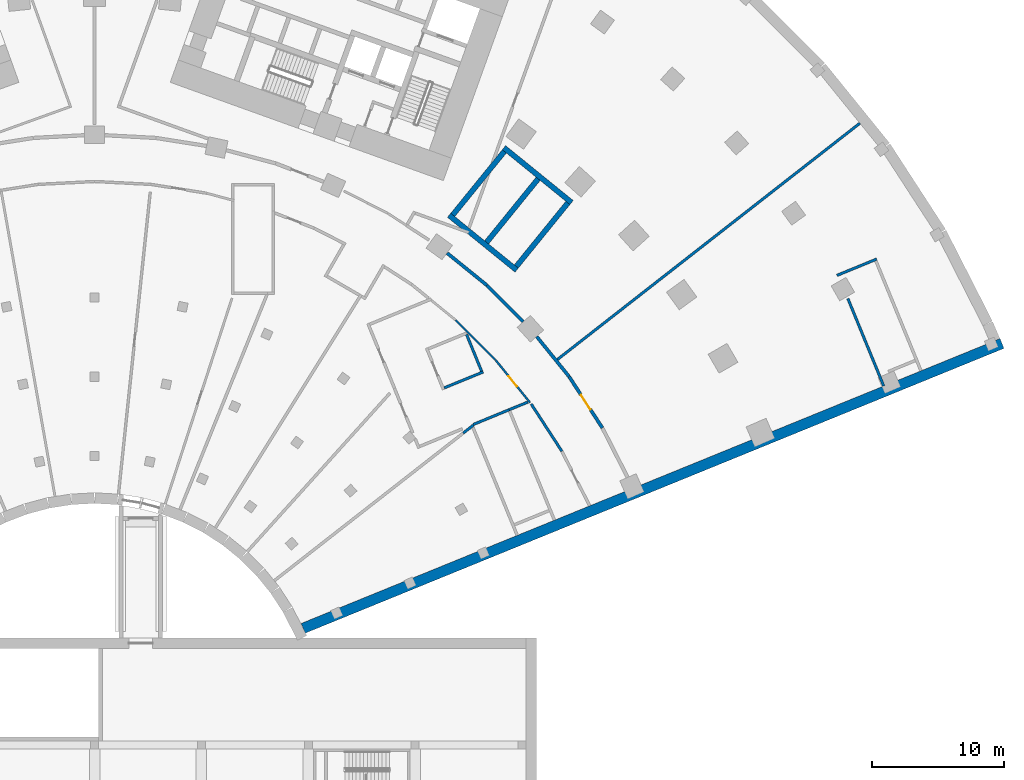
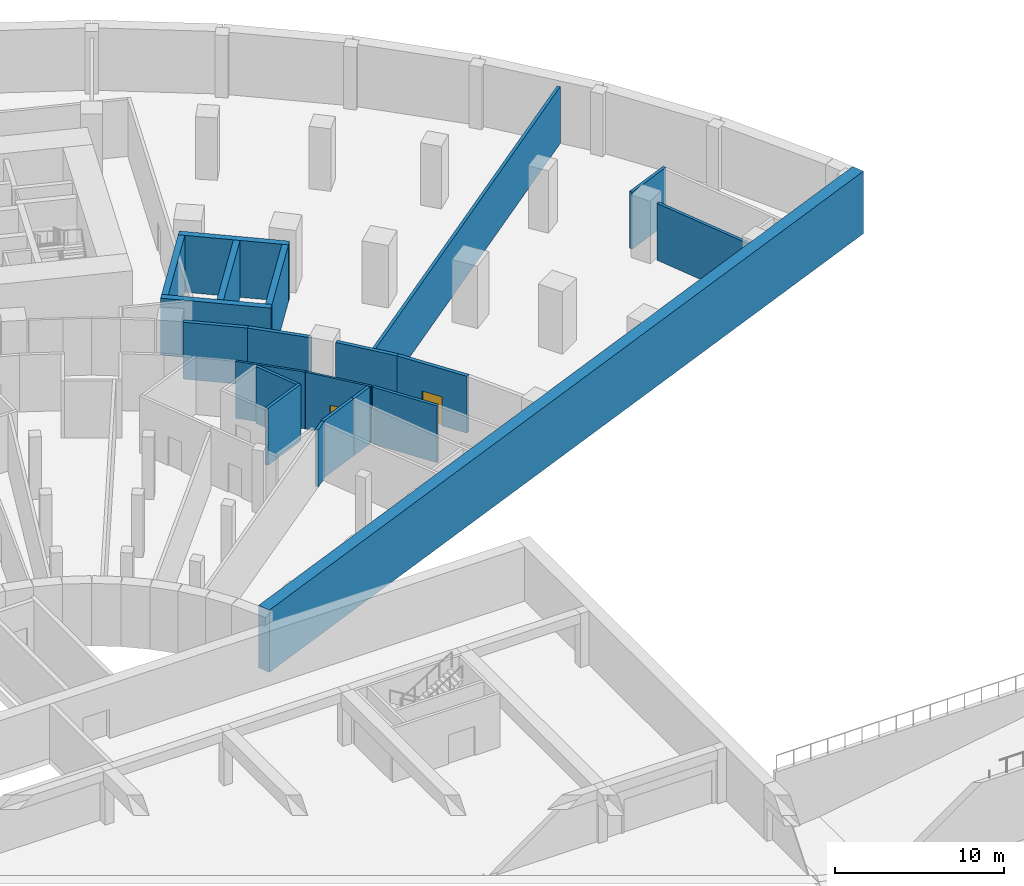
# One storey, part 11 of 23: 21 walls, 2 doors, 2 openings.
"""IFC4 building model written with IfcOpenShell, lengths in metres."""

from ifc_helpers import new_model, si_unit, direction, frame, frame_2d, origin, place, context, subcontext, project, spatial, rectangle, extrude, material, layer, layer_set, type_object, element, fill, save


model = new_model("IFC4")

# Units and contexts
model_context = context("Model", 3, precision=1e-05, world=origin(), true_north=direction((0.0, 1.0)))
body_context = subcontext(model_context, "Body", "Model", "MODEL_VIEW")
ifc_project = project(units=[si_unit("LENGTHUNIT", "METRE"), si_unit("AREAUNIT", "SQUARE_METRE"), si_unit("VOLUMEUNIT", "CUBIC_METRE"), si_unit("PLANEANGLEUNIT", "RADIAN"), si_unit("MASSUNIT", "GRAM", prefix="KILO")], contexts=[model_context])

# Site, building, storey
site_placement = place(None, origin())
site = spatial("IfcSite", under=ifc_project, at=site_placement, CompositionType="ELEMENT")
building_placement = place(site_placement, origin())
building = spatial("IfcBuilding", under=site, at=building_placement, Name="Stone Belt Terrace Tower", CompositionType="ELEMENT")
storey_placement = place(building_placement, frame((0.0, 0.0, -4.5)))
storey = spatial("IfcBuildingStorey", under=building, at=storey_placement, Name="B1", CompositionType="ELEMENT", Elevation=-4.5)

# Walls
ifc_material_1 = material(Name="Concrete B30", Category="concrete")
ifc_layer_1 = layer(ifc_material_1, 0.800048828125)
ifc_layer_set_1 = layer_set([ifc_layer_1], Name="Basement wall 800 B30")
wall_type_1 = type_object("IfcWallType", Name="Basement wall 800 B30", PredefinedType="SHEAR", material=ifc_layer_set_1)
wall_1_placement = place(storey_placement, frame((15.806396484375, 7.03173828125, 0.0), z_axis=(0.0, 0.0, 1.0), x_axis=(0.926043414777, 0.377417002728, 0.0)))
element("IfcWall", 1, at=wall_1_placement, inside=storey, type_object=wall_type_1, Name="Basement wall B1 23", PredefinedType="SHEAR", context=body_context, shape_type="SweptSolid", body=[
    extrude(rectangle(XDim=57.20166015625, YDim=0.800048828125, at=frame_2d((28.600830078125, 0.0))), origin(), (0.0, 0.0, 1.0), 4.5),
])
ifc_layer_2 = layer(ifc_material_1, 0.25)
ifc_layer_set_2 = layer_set([ifc_layer_2], Name="Compartment wall 250")
wall_type_2 = type_object("IfcWallType", Name="Compartment wall 250", PredefinedType="SOLIDWALL", material=ifc_layer_set_2)
wall_2_placement = place(storey_placement, frame((26.72265625, 35.472412109375, 0.0), z_axis=(0.0, 0.0, 1.0), x_axis=(0.777272744525, -0.629163794746, 0.0)))
element("IfcWall", 2, at=wall_2_placement, inside=storey, type_object=wall_type_2, Name="Compartment wall B1 15", PredefinedType="SOLIDWALL", context=body_context, shape_type="SweptSolid", body=[
    extrude(rectangle(XDim=3.875244140625, YDim=0.25, at=frame_2d((1.9375, 0.0))), origin(), (0.0, 0.0, 1.0), 4.10009765625),
])
wall_3_placement = place(storey_placement, frame((29.74462890625, 33.025390625, 0.0), z_axis=(0.0, 0.0, 1.0), x_axis=(0.707106781187, -0.707106781187, 0.0)))
element("IfcWall", 3, at=wall_3_placement, inside=storey, type_object=wall_type_2, Name="Compartment wall B1 16", PredefinedType="SOLIDWALL", context=body_context, shape_type="SweptSolid", body=[
    extrude(rectangle(XDim=3.8759765625, YDim=0.25, at=frame_2d((1.93798828125, 0.0))), origin(), (0.0, 0.0, 1.0), 4.10009765625),
])
wall_4_placement = place(storey_placement, frame((33.514404296875, 29.1416015625, 0.0), z_axis=(0.0, 0.0, 1.0), x_axis=(0.629104116974, -0.777321046934, 0.0)))
element("IfcWall", 4, at=wall_4_placement, inside=storey, type_object=wall_type_2, Name="Compartment wall B1 17", PredefinedType="SOLIDWALL", context=body_context, shape_type="SweptSolid", body=[
    extrude(rectangle(XDim=3.880859375, YDim=0.25, at=frame_2d((1.9404296875, 0.0))), origin(), (0.0, 0.0, 1.0), 4.10009765625),
])

# Wall, opening, door
wall_5_placement = place(storey_placement, frame((35.963623046875, 26.114501953125, 0.0), z_axis=(0.0, 0.0, 1.0), x_axis=(0.544253220019, -0.838920993002, 0.0)))
wall_5 = element("IfcWall", 5, at=wall_5_placement, inside=storey, type_object=wall_type_2, Name="Compartment wall B1 18", PredefinedType="SOLIDWALL", context=body_context, shape_type="SweptSolid", body=[
    extrude(rectangle(XDim=4.635498046875, YDim=0.25, at=frame_2d((2.31787109375, 0.0))), origin(), (0.0, 0.0, 1.0), 4.10009765625),
])
opening_1_placement = place(wall_5_placement, frame((1.667724609375, 0.0, 0.0)))
opening_1 = element("IfcOpeningElement", 6, at=opening_1_placement, cuts=wall_5, Name="Opening B1-P21", PredefinedType="OPENING", context=body_context, shape_type="SweptSolid", body=[
    extrude(rectangle(XDim=1.300048828125, YDim=2.10009765625, at=frame_2d((0.64990234375, 1.050048828125))), frame((0.0, 0.135009765625, 0.0), z_axis=(0.0, -1.0, 0.0), x_axis=(1.0, 0.0, 0.0)), (0.0, 0.0, 1.0), 0.27001953125),
])
ifc_material_2 = material(Name="Steel framed fire door leaf", Category="steel")
door_type_1 = type_object("IfcDoorType", Name="Fire door 1300 x 2100 EI 60", OperationType="SINGLE_SWING_LEFT", PredefinedType="DOOR", material=ifc_material_2)
door_1_placement = place(opening_1_placement, origin())
door_1 = element("IfcDoor", 7, at=door_1_placement, inside=storey, type_object=door_type_1, Name="Fire door 1300 x 2100 EI 60", OperationType="SINGLE_SWING_LEFT", OverallHeight=2.10009765625, OverallWidth=1.300048828125, PredefinedType="DOOR", context=body_context, shape_type="SweptSolid", body=[
    extrude(rectangle(XDim=1.300048828125, YDim=2.10009765625, at=frame_2d((0.64990234375, 1.050048828125))), frame((0.0, 0.02490234375, 0.0), z_axis=(0.0, -1.0, 0.0), x_axis=(1.0, 0.0, 0.0)), (0.0, 0.0, 1.0), 0.050048828125),
])
fill(opening_1, door_1)

# Walls
ifc_material_3 = material(Name="Blockwork wall, plastered both faces", Category="masonry")
ifc_layer_3 = layer(ifc_material_3, 0.199951171875)
ifc_layer_set_3 = layer_set([ifc_layer_3], Name="Podium demising wall 200")
wall_type_3 = type_object("IfcWallType", Name="Podium demising wall 200", PredefinedType="PARTITIONING", material=ifc_layer_set_3)
wall_6_placement = place(storey_placement, frame((27.93994140625, 21.830078125, 0.0), z_axis=(0.0, 0.0, 1.0), x_axis=(0.78757857942, 0.616214233233, 0.0)))
element("IfcWall", 8, at=wall_6_placement, inside=storey, type_object=wall_type_3, Name="Podium demising wall 200", PredefinedType="PARTITIONING", context=body_context, shape_type="SweptSolid", body=[
    extrude(rectangle(XDim=0.980224609375, YDim=0.199951171875, at=frame_2d((0.490234375, 0.0))), origin(), (0.0, 0.0, 1.0), 4.10009765625),
])
wall_7_placement = place(storey_placement, frame((31.420166015625, 23.60009765625, 0.0), z_axis=(0.0, 0.0, 1.0), x_axis=(0.925906762985, 0.377752122773, 0.0)))
element("IfcWall", 9, at=wall_7_placement, inside=storey, type_object=wall_type_3, Name="Podium demising wall 200", PredefinedType="PARTITIONING", context=body_context, shape_type="SweptSolid", body=[
    extrude(rectangle(XDim=1.532958984375, YDim=0.199951171875, at=frame_2d((0.7666015625, 0.0))), origin(), (0.0, 0.0, 1.0), 4.10009765625),
])
wall_8_placement = place(storey_placement, frame((33.092529296875, 24.0361328125, 0.0), z_axis=(0.0, 0.0, 1.0), x_axis=(0.544379260043, -0.838839210597, 0.0)))
element("IfcWall", 10, at=wall_8_placement, inside=storey, type_object=wall_type_3, Name="Podium demising wall 200", PredefinedType="PARTITIONING", context=body_context, shape_type="SweptSolid", body=[
    extrude(rectangle(XDim=4.27001953125, YDim=0.199951171875, at=frame_2d((2.135009765625, 0.0))), origin(), (0.0, 0.0, 1.0), 4.10009765625),
])
wall_9_placement = place(storey_placement, frame((35.08154296875, 27.407958984375, 0.0), z_axis=(0.0, 0.0, 1.0), x_axis=(0.788035698652, 0.61562954579, 0.0)))
element("IfcWall", 11, at=wall_9_placement, inside=storey, type_object=wall_type_3, Name="Podium demising wall 200", PredefinedType="PARTITIONING", context=body_context, shape_type="SweptSolid", body=[
    extrude(rectangle(XDim=29.087646484375, YDim=0.199951171875, at=frame_2d((14.5439453125, 0.0))), origin(), (0.0, 0.0, 1.0), 4.10009765625),
])
ifc_material_4 = material(Name="Reinforced blockwork wall, plastered both faces", Category="masonry")
ifc_layer_4 = layer(ifc_material_4, 0.199951171875)
ifc_layer_set_4 = layer_set([ifc_layer_4], Name="Podium lift shaft wall 200")
wall_type_4 = type_object("IfcWallType", Name="Podium lift shaft wall 200", PredefinedType="SOLIDWALL", material=ifc_layer_set_4)
wall_10_placement = place(storey_placement, frame((26.502685546875, 25.2578125, 0.0), z_axis=(0.0, 0.0, 1.0), x_axis=(0.92564908085, 0.378383111571, 0.0)))
element("IfcWall", 12, at=wall_10_placement, inside=storey, type_object=wall_type_4, Name="Podium lift shaft wall 200", PredefinedType="SOLIDWALL", context=body_context, shape_type="SweptSolid", body=[
    extrude(rectangle(XDim=3.19775390625, YDim=0.199951171875, at=frame_2d((1.598876953125, 0.0))), origin(), (0.0, 0.0, 1.0), 4.10009765625),
])
wall_11_placement = place(storey_placement, frame((28.19775390625, 29.29736328125, 0.0), z_axis=(0.0, 0.0, 1.0), x_axis=(0.378471104771, -0.925613106461, 0.0)))
element("IfcWall", 13, at=wall_11_placement, inside=storey, type_object=wall_type_4, Name="Podium lift shaft wall 200", PredefinedType="SOLIDWALL", context=body_context, shape_type="SweptSolid", body=[
    extrude(rectangle(XDim=2.99755859375, YDim=0.199951171875, at=frame_2d((1.498779296875, 0.0))), origin(), (0.0, 0.0, 1.0), 4.10009765625),
])
ifc_material_5 = material(Name="Gypsum board on steel stud partition", Category="steel")
ifc_layer_5 = layer(ifc_material_5, 0.14990234375)
ifc_layer_set_5 = layer_set([ifc_layer_5], Name="Podium partition 150")
wall_type_5 = type_object("IfcWallType", Name="Podium partition 150", PredefinedType="PARTITIONING", material=ifc_layer_set_5)
wall_12_placement = place(storey_placement, frame((27.372802734375, 30.38720703125, 0.0), z_axis=(0.0, 0.0, 1.0), x_axis=(0.707106781187, -0.707106781187, 0.0)))
element("IfcWall", 14, at=wall_12_placement, inside=storey, type_object=wall_type_5, Name="Podium partition 150", PredefinedType="PARTITIONING", context=body_context, shape_type="SweptSolid", body=[
    extrude(rectangle(XDim=4.262939453125, YDim=0.14990234375, at=frame_2d((2.13134765625, 0.0))), origin(), (0.0, 0.0, 1.0), 4.10009765625),
])

# Wall, opening, door
wall_13_placement = place(storey_placement, frame((30.392578125, 27.366943359375, 0.0), z_axis=(0.0, 0.0, 1.0), x_axis=(0.629179626547, -0.777259929198, 0.0)))
wall_13 = element("IfcWall", 15, at=wall_13_placement, inside=storey, type_object=wall_type_5, Name="Podium partition 150", PredefinedType="PARTITIONING", context=body_context, shape_type="SweptSolid", body=[
    extrude(rectangle(XDim=4.153076171875, YDim=0.14990234375, at=frame_2d((2.07666015625, 0.0))), origin(), (0.0, 0.0, 1.0), 4.10009765625),
])
opening_2_placement = place(wall_13_placement, frame((1.57666015625, 0.0, 0.0)))
opening_2 = element("IfcOpeningElement", 16, at=opening_2_placement, cuts=wall_13, Name="Opening B1-P25", PredefinedType="OPENING", context=body_context, shape_type="SweptSolid", body=[
    extrude(rectangle(XDim=1.0, YDim=2.10009765625, at=frame_2d((0.5, 1.050048828125))), frame((0.0, 0.0849609375, 0.0), z_axis=(0.0, -1.0, 0.0), x_axis=(1.0, 0.0, 0.0)), (0.0, 0.0, 1.0), 0.169921875),
])
ifc_material_6 = material(Name="Steel framed door leaf", Category="steel")
door_type_2 = type_object("IfcDoorType", Name="Podium door single 1000", OperationType="SINGLE_SWING_LEFT", PredefinedType="DOOR", material=ifc_material_6)
door_2_placement = place(opening_2_placement, origin())
door_2 = element("IfcDoor", 17, at=door_2_placement, inside=storey, type_object=door_type_2, Name="Podium door single 1000", OperationType="SINGLE_SWING_LEFT", OverallHeight=2.10009765625, OverallWidth=1.0, PredefinedType="DOOR", context=body_context, shape_type="SweptSolid", body=[
    extrude(rectangle(XDim=1.0, YDim=2.10009765625, at=frame_2d((0.5, 1.050048828125))), frame((0.0, 0.02490234375, 0.0), z_axis=(0.0, -1.0, 0.0), x_axis=(1.0, 0.0, 0.0)), (0.0, 0.0, 1.0), 0.050048828125),
])
fill(opening_2, door_2)

# Walls
ifc_layer_6 = layer(ifc_material_1, 0.199951171875)
ifc_layer_set_6 = layer_set([ifc_layer_6], Name="Podium stair and shaft wall 200")
wall_type_6 = type_object("IfcWallType", Name="Podium stair and shaft wall 200", PredefinedType="SOLIDWALL", material=ifc_layer_set_6)
wall_14_placement = place(storey_placement, frame((28.6923828125, 22.47802734375, 0.0), z_axis=(0.0, 0.0, 1.0), x_axis=(0.924830605984, 0.380379218985, 0.0)))
element("IfcWall", 18, at=wall_14_placement, inside=storey, type_object=wall_type_6, Name="Podium stair and shaft wall 200", PredefinedType="SOLIDWALL", context=body_context, shape_type="SweptSolid", body=[
    extrude(rectangle(XDim=2.94921875, YDim=0.199951171875, at=frame_2d((1.474609375, 0.0))), origin(), (0.0, 0.0, 1.0), 4.10009765625),
])
wall_15_placement = place(storey_placement, frame((56.267578125, 33.781982421875, 0.0), z_axis=(0.0, 0.0, 1.0), x_axis=(0.924810313923, 0.380428552112, 0.0)))
element("IfcWall", 19, at=wall_15_placement, inside=storey, type_object=wall_type_6, Name="Podium stair and shaft wall 200", PredefinedType="SOLIDWALL", context=body_context, shape_type="SweptSolid", body=[
    extrude(rectangle(XDim=3.249267578125, YDim=0.199951171875, at=frame_2d((1.62451171875, 0.0))), origin(), (0.0, 0.0, 1.0), 4.10009765625),
])
wall_16_placement = place(storey_placement, frame((57.094482421875, 32.02880859375, 0.0), z_axis=(0.0, 0.0, 1.0), x_axis=(0.379331985473, -0.925260636144, 0.0)))
element("IfcWall", 20, at=wall_16_placement, inside=storey, type_object=wall_type_6, Name="Podium stair and shaft wall 200", PredefinedType="SOLIDWALL", context=body_context, shape_type="SweptSolid", body=[
    extrude(rectangle(XDim=7.16455078125, YDim=0.199951171875, at=frame_2d((3.582275390625, 0.0))), origin(), (0.0, 0.0, 1.0), 4.10009765625),
])
ifc_material_7 = material(Name="Concrete B80", Category="concrete")
ifc_layer_7 = layer(ifc_material_7, 0.39990234375)
ifc_layer_set_7 = layer_set([ifc_layer_7], Name="Stair enclosure wall 400")
wall_type_7 = type_object("IfcWallType", Name="Stair enclosure wall 400", PredefinedType="SHEAR", material=ifc_layer_set_7)
wall_17_placement = place(storey_placement, frame((26.868408203125, 38.3388671875, 0.0), z_axis=(0.0, 0.0, 1.0), x_axis=(0.776428452498, -0.630205409491, 0.0)))
element("IfcWall", 21, at=wall_17_placement, inside=storey, type_object=wall_type_7, Name="Exit stair ST3B wall base", PredefinedType="SHEAR", context=body_context, shape_type="SweptSolid", body=[
    extrude(rectangle(XDim=6.60009765625, YDim=0.39990234375, at=frame_2d((3.300048828125, 0.0))), origin(), (0.0, 0.0, 1.0), 4.10009765625),
])
wall_18_placement = place(storey_placement, frame((31.02783203125, 43.46337890625, 0.0), z_axis=(0.0, 0.0, 1.0), x_axis=(0.776413760801, -0.630223509589, 0.0)))
element("IfcWall", 22, at=wall_18_placement, inside=storey, type_object=wall_type_7, Name="Exit stair ST3B wall base", PredefinedType="SHEAR", context=body_context, shape_type="SweptSolid", body=[
    extrude(rectangle(XDim=6.599853515625, YDim=0.39990234375, at=frame_2d((3.2998046875, 0.0))), origin(), (0.0, 0.0, 1.0), 4.10009765625),
])
for number, where, z_axis, x_axis, name in (
    (23, (27.149658203125, 38.3681640625, 0.0), (0.0, 0.0, 1.0), (0.630211551729, 0.776423466973, 0.0), "Exit stair ST3B wall base"),
    (24, (31.963623046875, 34.460693359375, 0.0), (0.0, 0.0, 1.0), (0.630192283849, 0.776439106033, 0.0), "Exit stair ST3B wall base"),
    (25, (29.7119140625, 36.288330078125, 0.0), (0.0, 0.0, 1.0), (0.630192283849, 0.776439106033, 0.0), "Exit stair ST3B wall base"),
):
    element("IfcWall", number, at=place(storey_placement, frame(where, z_axis=z_axis, x_axis=x_axis)), inside=storey, type_object=wall_type_7, Name=name, PredefinedType="SHEAR", context=body_context, shape_type="SweptSolid", body=[
        extrude(rectangle(XDim=6.199951171875, YDim=0.39990234375, at=frame_2d((3.10009765625, 0.0))), origin(), (0.0, 0.0, 1.0), 4.10009765625),
    ])

save(model, "model.ifc")
